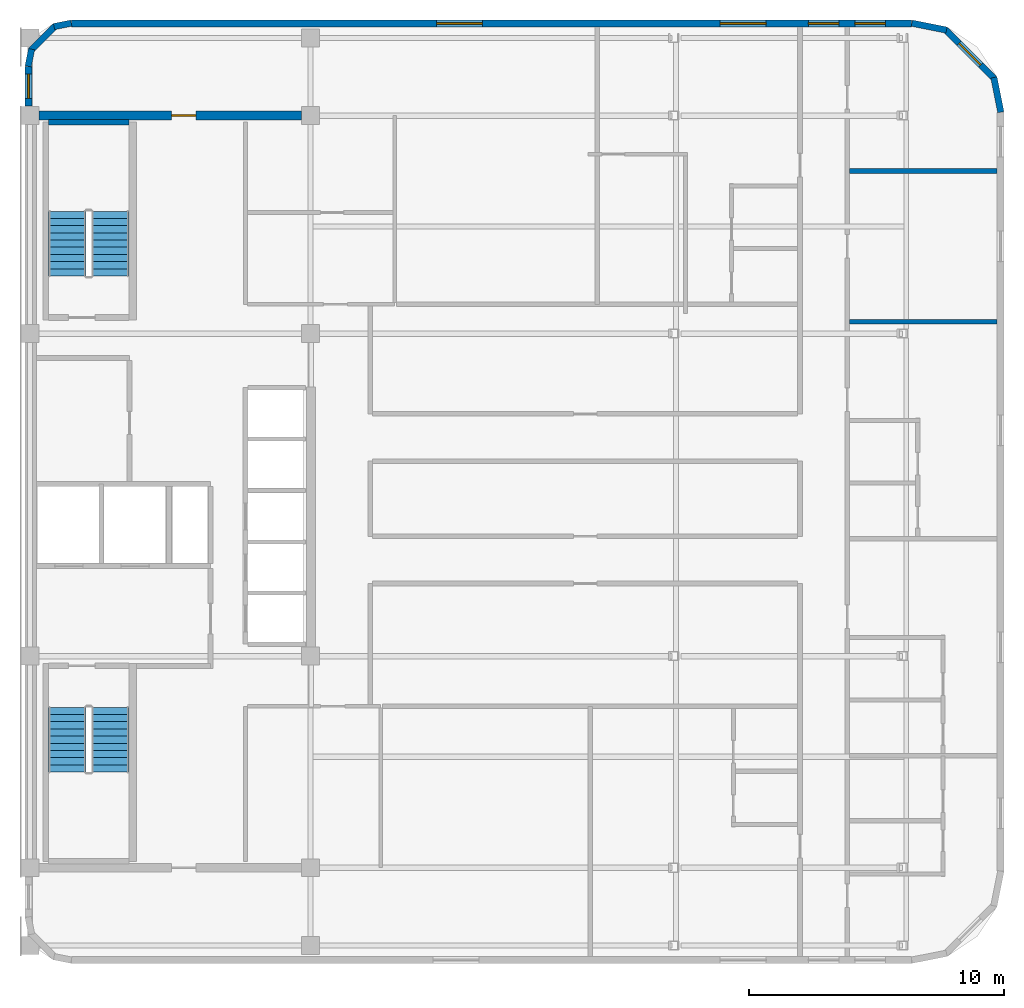
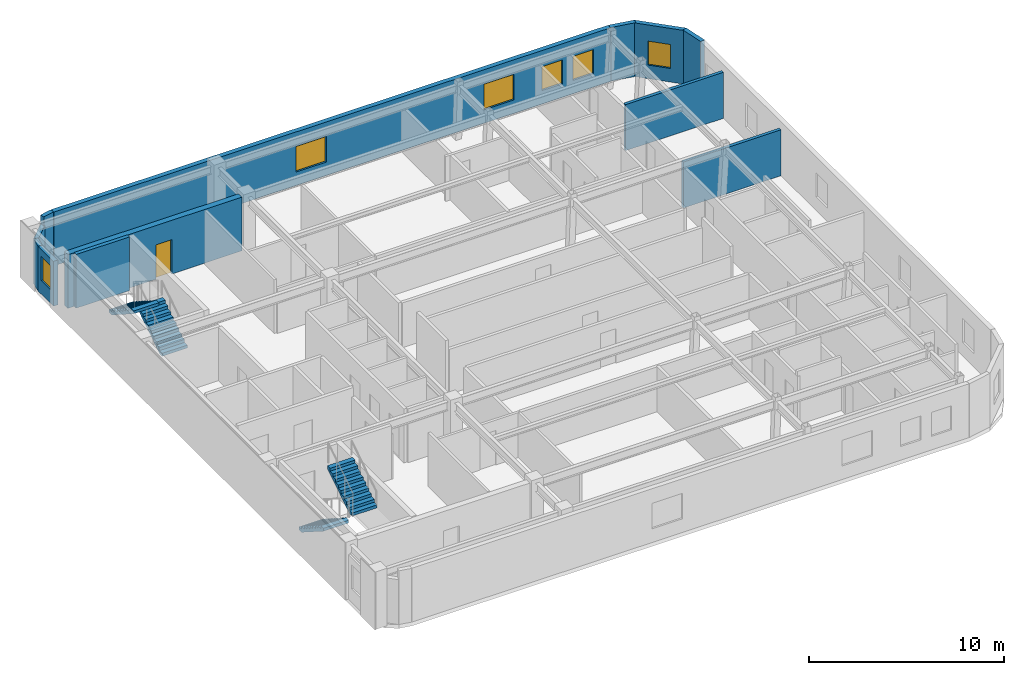
# One storey, part 5 of 6: 12 walls, 6 windows, 4 stair flights, 1 door, 7 openings, 2 elements without a shape of their own.
"""IFC4 building model written with IfcOpenShell, lengths in metres."""

from ifc_helpers import new_model, si_unit, direction, frame, frame_2d, origin, place, context, subcontext, project, spatial, polyline, rectangle, outline, extrude, material, layer, layer_set, type_object, element, fill, aggregate, save


model = new_model("IFC4")

# Units and contexts
model_context = context("Model", 3, precision=1e-05, world=origin(), true_north=direction((0.0, 1.0)))
body_context = subcontext(model_context, "Body", "Model", "MODEL_VIEW")
ifc_project = project(units=[si_unit("LENGTHUNIT", "METRE"), si_unit("AREAUNIT", "SQUARE_METRE"), si_unit("VOLUMEUNIT", "CUBIC_METRE"), si_unit("PLANEANGLEUNIT", "RADIAN"), si_unit("MASSUNIT", "GRAM", prefix="KILO")], contexts=[model_context])

# Site, building, storey
site_placement = place(None, origin())
site = spatial("IfcSite", under=ifc_project, at=site_placement, CompositionType="ELEMENT")
building_placement = place(site_placement, origin())
building = spatial("IfcBuilding", under=site, at=building_placement, Name="Ochreholt Gables", CompositionType="ELEMENT")
storey_placement = place(building_placement, frame((0.0, 0.0, 271.199951171875)))
storey = spatial("IfcBuildingStorey", under=building, at=storey_placement, Name="L71", CompositionType="ELEMENT", Elevation=271.199951171875)

# Wall, opening, door
ifc_material_1 = material(Name="Concrete 50 MPa", Category="concrete")
ifc_layer_1 = layer(ifc_material_1, 0.35009765625, Name="Concrete 50 MPa")
ifc_layer_set_1 = layer_set([ifc_layer_1], Name="Concrete 50 MPa")
wall_type_1 = type_object("IfcWallType", Name="WALL-CSW-350", PredefinedType="SHEAR", material=ifc_layer_set_1)
wall_1_placement = place(storey_placement, frame((24.550048828125, 38.75, 0.0), z_axis=(0.0, 0.0, 1.0), x_axis=(1.0, 0.0, 0.0)))
wall_1 = element("IfcWall", 1, at=wall_1_placement, inside=storey, type_object=wall_type_1, Name="L71 Core North Shear Wall", PredefinedType="SHEAR", context=body_context, shape_type="SweptSolid", body=[
    extrude(rectangle(XDim=10.300048828125, YDim=0.35009765625, at=frame_2d((5.14990234375, 0.0))), origin(), (0.0, 0.0, 1.0), 3.360107421875),
])
opening_1_placement = place(wall_1_placement, frame((5.199951171875, 0.0, 0.0)))
opening_1 = element("IfcOpeningElement", 2, at=opening_1_placement, cuts=wall_1, Name="Opening D-FL2", PredefinedType="OPENING", context=body_context, shape_type="SweptSolid", body=[
    extrude(rectangle(XDim=0.949951171875, YDim=2.14990234375, at=frame_2d((0.47509765625, 1.074951171875))), frame((0.0, 0.18505859375, 0.0), z_axis=(0.0, -1.0, 0.0), x_axis=(1.0, 0.0, 0.0)), (0.0, 0.0, 1.0), 0.3701171875),
])
ifc_material_2 = material(Name="Hollow Metal Steel", Category="steel")
door_type = type_object("IfcDoorType", Name="DR-INT-FLB950", OperationType="NOTDEFINED", PredefinedType="DOOR", material=ifc_material_2)
door_placement = place(opening_1_placement, origin())
door = element("IfcDoor", 3, at=door_placement, inside=storey, type_object=door_type, Name="L71 Door D-C3NSR-L71", OperationType="SINGLE_SWING_RIGHT", OverallHeight=2.14990234375, OverallWidth=0.949951171875, PredefinedType="DOOR", context=body_context, shape_type="SweptSolid", body=[
    extrude(rectangle(XDim=0.949951171875, YDim=2.14990234375, at=frame_2d((0.47509765625, 1.074951171875))), frame((0.0, 0.02490234375, 0.0), z_axis=(0.0, -1.0, 0.0), x_axis=(1.0, 0.0, 0.0)), (0.0, 0.0, 1.0), 0.050048828125),
])
fill(opening_1, door)

# Wall, openings, windows
ifc_material_3 = material(Name="Precast concrete 40 MPa", Category="concrete")
ifc_layer_2 = layer(ifc_material_3, 0.27001953125, Name="Precast concrete 40 MPa")
ifc_layer_set_2 = layer_set([ifc_layer_2], Name="Precast concrete 40 MPa")
wall_type_2 = type_object("IfcWallType", Name="WALL-EXT-270", PredefinedType="SOLIDWALL", material=ifc_layer_set_2)
wall_2_placement = place(storey_placement, frame((58.780029296875, 42.364990234375, 0.0), z_axis=(0.0, 0.0, 1.0), x_axis=(-1.0, 0.0, 0.0)))
wall_2 = element("IfcWall", 4, at=wall_2_placement, inside=storey, type_object=wall_type_2, Name="L71 North Exterior Wall", PredefinedType="SOLIDWALL", context=body_context, shape_type="SweptSolid", body=[
    extrude(rectangle(XDim=32.9599609375, YDim=0.27001953125, at=frame_2d((16.47998046875, 0.0))), origin(), (0.0, 0.0, 1.0), 3.360107421875),
])
opening_2_placement = place(wall_2_placement, frame((16.8349609375, 0.0, 0.85009765625)))
opening_2 = element("IfcOpeningElement", 5, at=opening_2_placement, cuts=wall_2, Name="Opening WN-1", PredefinedType="OPENING", context=body_context, shape_type="SweptSolid", body=[
    extrude(rectangle(XDim=1.800048828125, YDim=1.60009765625, at=frame_2d((0.89990234375, 0.800048828125))), frame((0.0, 0.14501953125, 0.0), z_axis=(0.0, -1.0, 0.0), x_axis=(1.0, 0.0, 0.0)), (0.0, 0.0, 1.0), 0.2900390625),
])
opening_3_placement = place(wall_2_placement, frame((5.714599609375, 0.0, 0.85009765625)))
opening_3 = element("IfcOpeningElement", 6, at=opening_3_placement, cuts=wall_2, Name="Opening WN-1", PredefinedType="OPENING", context=body_context, shape_type="SweptSolid", body=[
    extrude(rectangle(XDim=1.800048828125, YDim=1.60009765625, at=frame_2d((0.89990234375, 0.800048828125))), frame((0.0, 0.14501953125, 0.0), z_axis=(0.0, -1.0, 0.0), x_axis=(1.0, 0.0, 0.0)), (0.0, 0.0, 1.0), 0.2900390625),
])
opening_4_placement = place(wall_2_placement, frame((2.85498046875, 0.0, 0.85009765625)))
opening_4 = element("IfcOpeningElement", 7, at=opening_4_placement, cuts=wall_2, Name="Opening WN-3", PredefinedType="OPENING", context=body_context, shape_type="SweptSolid", body=[
    extrude(rectangle(XDim=1.199951171875, YDim=1.5, at=frame_2d((0.60009765625, 0.75))), frame((0.0, 0.14501953125, 0.0), z_axis=(0.0, -1.0, 0.0), x_axis=(1.0, 0.0, 0.0)), (0.0, 0.0, 1.0), 0.2900390625),
])
opening_5_placement = place(wall_2_placement, frame((1.029541015625, 0.0, 0.85009765625)))
opening_5 = element("IfcOpeningElement", 8, at=opening_5_placement, cuts=wall_2, Name="Opening WN-3", PredefinedType="OPENING", context=body_context, shape_type="SweptSolid", body=[
    extrude(rectangle(XDim=1.199951171875, YDim=1.5, at=frame_2d((0.60009765625, 0.75))), frame((0.0, 0.14501953125, 0.0), z_axis=(0.0, -1.0, 0.0), x_axis=(1.0, 0.0, 0.0)), (0.0, 0.0, 1.0), 0.2900390625),
])
ifc_material_4 = material(Name="Triple-Glazed Thermally Broken Aluminium Window", Category="aluminium")
window_type_1 = type_object("IfcWindowType", Name="WIN-RES-1200", PartitioningType="SINGLE_PANEL", PredefinedType="WINDOW", material=ifc_material_4)
window_1_placement = place(opening_4_placement, origin())
window_1 = element("IfcWindow", 9, at=window_1_placement, inside=storey, type_object=window_type_1, Name="L71 Window W-EXT-N-L71-3", OverallHeight=1.5, OverallWidth=1.199951171875, PartitioningType="SINGLE_PANEL", PredefinedType="WINDOW", context=body_context, shape_type="SweptSolid", body=[
    extrude(rectangle(XDim=1.199951171875, YDim=1.5, at=frame_2d((0.60009765625, 0.75))), frame((0.0, 0.030029296875, 0.0), z_axis=(0.0, -1.0, 0.0), x_axis=(1.0, 0.0, 0.0)), (0.0, 0.0, 1.0), 0.06005859375),
])
fill(opening_4, window_1)
window_2_placement = place(opening_5_placement, origin())
window_2 = element("IfcWindow", 10, at=window_2_placement, inside=storey, type_object=window_type_1, Name="L71 Window W-EXT-N-L71-4", OverallHeight=1.5, OverallWidth=1.199951171875, PartitioningType="SINGLE_PANEL", PredefinedType="WINDOW", context=body_context, shape_type="SweptSolid", body=[
    extrude(rectangle(XDim=1.199951171875, YDim=1.5, at=frame_2d((0.60009765625, 0.75))), frame((0.0, 0.030029296875, 0.0), z_axis=(0.0, -1.0, 0.0), x_axis=(1.0, 0.0, 0.0)), (0.0, 0.0, 1.0), 0.06005859375),
])
fill(opening_5, window_2)
window_type_2 = type_object("IfcWindowType", Name="WIN-RES-1800", PartitioningType="SINGLE_PANEL", PredefinedType="WINDOW", material=ifc_material_4)
window_3_placement = place(opening_2_placement, origin())
window_3 = element("IfcWindow", 11, at=window_3_placement, inside=storey, type_object=window_type_2, Name="L71 Window W-EXT-N-L71-1", OverallHeight=1.60009765625, OverallWidth=1.800048828125, PartitioningType="SINGLE_PANEL", PredefinedType="WINDOW", context=body_context, shape_type="SweptSolid", body=[
    extrude(rectangle(XDim=1.800048828125, YDim=1.60009765625, at=frame_2d((0.89990234375, 0.800048828125))), frame((0.0, 0.030029296875, 0.0), z_axis=(0.0, -1.0, 0.0), x_axis=(1.0, 0.0, 0.0)), (0.0, 0.0, 1.0), 0.06005859375),
])
fill(opening_2, window_3)
window_4_placement = place(opening_3_placement, origin())
window_4 = element("IfcWindow", 12, at=window_4_placement, inside=storey, type_object=window_type_2, Name="L71 Window W-EXT-N-L71-2", OverallHeight=1.60009765625, OverallWidth=1.800048828125, PartitioningType="SINGLE_PANEL", PredefinedType="WINDOW", context=body_context, shape_type="SweptSolid", body=[
    extrude(rectangle(XDim=1.800048828125, YDim=1.60009765625, at=frame_2d((0.89990234375, 0.800048828125))), frame((0.0, 0.030029296875, 0.0), z_axis=(0.0, -1.0, 0.0), x_axis=(1.0, 0.0, 0.0)), (0.0, 0.0, 1.0), 0.06005859375),
])
fill(opening_3, window_4)

# Wall, opening, window
wall_3_placement = place(storey_placement, frame((24.135009765625, 39.1201171875, 0.0), z_axis=(0.0, 0.0, 1.0), x_axis=(0.0, 1.0, 0.0)))
wall_3 = element("IfcWall", 13, at=wall_3_placement, inside=storey, type_object=wall_type_2, Name="L71 West Facade North Bay Wall", PredefinedType="SOLIDWALL", context=body_context, shape_type="SweptSolid", body=[
    extrude(rectangle(XDim=1.559814453125, YDim=0.27001953125, at=frame_2d((0.77978515625, 0.0))), origin(), (0.0, 0.0, 1.0), 2.802978515625),
])
opening_6_placement = place(wall_3_placement, frame((0.304931640625, 0.0, 0.85009765625)))
opening_6 = element("IfcOpeningElement", 14, at=opening_6_placement, cuts=wall_3, Name="Opening WN-10", PredefinedType="OPENING", context=body_context, shape_type="SweptSolid", body=[
    extrude(rectangle(XDim=0.949951171875, YDim=1.5, at=frame_2d((0.47509765625, 0.75))), frame((0.0, 0.14501953125, 0.0), z_axis=(0.0, -1.0, 0.0), x_axis=(1.0, 0.0, 0.0)), (0.0, 0.0, 1.0), 0.2900390625),
])
window_type_3 = type_object("IfcWindowType", Name="WIN-RES-950", PartitioningType="SINGLE_PANEL", PredefinedType="WINDOW", material=ifc_material_4)
window_5_placement = place(opening_6_placement, origin())
window_5 = element("IfcWindow", 15, at=window_5_placement, inside=storey, type_object=window_type_3, Name="L71 North Sky Reading West Window", OverallHeight=1.5, OverallWidth=0.949951171875, PartitioningType="SINGLE_PANEL", PredefinedType="WINDOW", context=body_context, shape_type="SweptSolid", body=[
    extrude(rectangle(XDim=0.949951171875, YDim=1.5, at=frame_2d((0.47509765625, 0.75))), frame((0.0, 0.030029296875, 0.0), z_axis=(0.0, -1.0, 0.0), x_axis=(1.0, 0.0, 0.0)), (0.0, 0.0, 1.0), 0.06005859375),
])
fill(opening_6, window_5)

# Wall
ifc_layer_3 = layer(ifc_material_3, 0.25, Name="Precast concrete 40 MPa")
ifc_layer_set_3 = layer_set([ifc_layer_3], Name="Precast concrete 40 MPa")
wall_type_3 = type_object("IfcWallType", Name="WALL-EXT-CNR", PredefinedType="SOLIDWALL", material=ifc_layer_set_3)
wall_4_placement = place(storey_placement, frame((62.27587890625, 38.883544921875, 0.0), z_axis=(0.0, 0.0, 1.0), x_axis=(-0.195135625965, 0.9807762678, 0.0)))
element("IfcWall", 16, at=wall_4_placement, inside=storey, type_object=wall_type_3, Name="L71 Rounded Corner Wall NE-1", PredefinedType="SOLIDWALL", context=body_context, shape_type="SweptSolid", body=[
    extrude(rectangle(XDim=1.388671875, YDim=0.25, at=frame_2d((0.6943359375, 0.0))), origin(), (0.0, 0.0, 1.0), 3.360107421875),
])

# Wall, opening, window
wall_5_placement = place(storey_placement, frame((62.031982421875, 40.195068359375, 0.0), z_axis=(0.0, 0.0, 1.0), x_axis=(-0.707106781187, 0.707106781187, 0.0)))
wall_5 = element("IfcWall", 17, at=wall_5_placement, inside=storey, type_object=wall_type_3, Name="L71 Rounded Corner Wall NE-2", PredefinedType="SOLIDWALL", context=body_context, shape_type="SweptSolid", body=[
    extrude(rectangle(XDim=2.7392578125, YDim=0.25, at=frame_2d((1.36962890625, 0.0))), origin(), (0.0, 0.0, 1.0), 3.360107421875),
])
opening_7_placement = place(wall_5_placement, frame((0.769775390625, 0.0, 0.85009765625)))
opening_7 = element("IfcOpeningElement", 18, at=opening_7_placement, cuts=wall_5, Name="Opening WN-3", PredefinedType="OPENING", context=body_context, shape_type="SweptSolid", body=[
    extrude(rectangle(XDim=1.199951171875, YDim=1.5, at=frame_2d((0.60009765625, 0.75))), frame((0.0, 0.135009765625, 0.0), z_axis=(0.0, -1.0, 0.0), x_axis=(1.0, 0.0, 0.0)), (0.0, 0.0, 1.0), 0.27001953125),
])
window_6_placement = place(opening_7_placement, origin())
window_6 = element("IfcWindow", 19, at=window_6_placement, inside=storey, type_object=window_type_1, Name="L71 Corner Bedroom Window NE", OverallHeight=1.5, OverallWidth=1.199951171875, PartitioningType="SINGLE_PANEL", PredefinedType="WINDOW", context=body_context, shape_type="SweptSolid", body=[
    extrude(rectangle(XDim=1.199951171875, YDim=1.5, at=frame_2d((0.60009765625, 0.75))), frame((0.0, 0.030029296875, 0.0), z_axis=(0.0, -1.0, 0.0), x_axis=(1.0, 0.0, 0.0)), (0.0, 0.0, 1.0), 0.06005859375),
])
fill(opening_7, window_6)

# Walls
wall_6_placement = place(storey_placement, frame((60.1455078125, 42.10498046875, 0.0), z_axis=(0.0, 0.0, 1.0), x_axis=(-0.980809899341, 0.19496651342, 0.0)))
element("IfcWall", 20, at=wall_6_placement, inside=storey, type_object=wall_type_3, Name="L71 Rounded Corner Wall NE-3", PredefinedType="SOLIDWALL", context=body_context, shape_type="SweptSolid", body=[
    extrude(rectangle(XDim=1.388671875, YDim=0.25, at=frame_2d((0.6943359375, 0.0))), origin(), (0.0, 0.0, 1.0), 3.360107421875),
])
wall_7_placement = place(storey_placement, frame((25.81640625, 42.375732421875, 0.0), z_axis=(0.0, 0.0, 1.0), x_axis=(-0.980812594069, -0.194952956674, 0.0)))
element("IfcWall", 21, at=wall_7_placement, inside=storey, type_object=wall_type_3, Name="L71 Rounded Corner Wall NW-1", PredefinedType="SOLIDWALL", context=body_context, shape_type="SweptSolid", body=[
    extrude(rectangle(XDim=0.686279296875, YDim=0.25, at=frame_2d((0.34326171875, 0.0))), origin(), (0.0, 0.0, 1.0), 3.360107421875),
])
wall_8_placement = place(storey_placement, frame((25.19384765625, 42.26904296875, 0.0), z_axis=(0.0, 0.0, 1.0), x_axis=(-0.707106781187, -0.707106781187, 0.0)))
element("IfcWall", 22, at=wall_8_placement, inside=storey, type_object=wall_type_3, Name="L71 Rounded Corner Wall NW-2", PredefinedType="SOLIDWALL", context=body_context, shape_type="SweptSolid", body=[
    extrude(rectangle(XDim=1.36181640625, YDim=0.25, at=frame_2d((0.680908203125, 0.0))), origin(), (0.0, 0.0, 1.0), 2.802978515625),
])
wall_9_placement = place(storey_placement, frame((24.258056640625, 41.356689453125, 0.0), z_axis=(0.0, 0.0, 1.0), x_axis=(-0.194952956674, -0.980812594069, 0.0)))
element("IfcWall", 23, at=wall_9_placement, inside=storey, type_object=wall_type_3, Name="L71 Rounded Corner Wall NW-3", PredefinedType="SOLIDWALL", context=body_context, shape_type="SweptSolid", body=[
    extrude(rectangle(XDim=0.686279296875, YDim=0.25, at=frame_2d((0.34326171875, 0.0))), origin(), (0.0, 0.0, 1.0), 2.802978515625),
])
ifc_material_5 = material(Name="Double-Stud Acoustic Demising Wall", Category="gypsum")
ifc_layer_4 = layer(ifc_material_5, 0.18505859375, Name="Double-Stud Acoustic Demising Wall")
ifc_layer_set_4 = layer_set([ifc_layer_4], Name="Double-Stud Acoustic Demising Wall")
wall_type_4 = type_object("IfcWallType", Name="WALL-INT-DM185", PredefinedType="PARTITIONING", material=ifc_layer_set_4)
for number, where, z_axis, x_axis, name in (
    (24, (56.340087890625, 30.659912109375, 0.0), (0.0, 0.0, 1.0), (1.0, 0.0, 0.0), "L71 Interior Wall WI-C3UDE4-L71"),
    (25, (56.340087890625, 36.580078125, 0.0), (0.0, 0.0, 1.0), (1.0, 0.0, 0.0), "L71 Interior Wall WI-C3UDE5-L71"),
):
    element("IfcWall", number, at=place(storey_placement, frame(where, z_axis=z_axis, x_axis=x_axis)), inside=storey, type_object=wall_type_4, Name=name, PredefinedType="PARTITIONING", context=body_context, shape_type="SweptSolid", body=[
        extrude(rectangle(XDim=5.789794921875, YDim=0.18505859375, at=frame_2d((2.89501953125, 0.0))), origin(), (0.0, 0.0, 1.0), 2.879150390625),
    ])
ifc_layer_5 = layer(ifc_material_1, 0.219970703125, Name="Concrete 50 MPa")
ifc_layer_set_5 = layer_set([ifc_layer_5], Name="Concrete 50 MPa")
wall_type_5 = type_object("IfcWallType", Name="WALL-STW-220", PredefinedType="SHEAR", material=ifc_layer_set_5)
wall_10_placement = place(storey_placement, frame((24.919921875, 38.489990234375, 0.0), z_axis=(0.0, 0.0, 1.0), x_axis=(1.0, 0.0, 0.0)))
element("IfcWall", 26, at=wall_10_placement, inside=storey, type_object=wall_type_5, Name="L71 Exit Stair 2 North Wall", PredefinedType="SHEAR", context=body_context, shape_type="SweptSolid", body=[
    extrude(rectangle(XDim=3.16015625, YDim=0.219970703125, at=frame_2d((1.580078125, 0.0))), origin(), (0.0, 0.0, 1.0), 3.360107421875),
])

# Stair, stair flights
ifc_material_6 = material(Name="Concrete 40 MPa", Category="concrete")
stair_type_1 = type_object("IfcStairType", Name="STAIR-CORE-ST-1", PredefinedType="HALF_TURN_STAIR", material=ifc_material_6)
stair_1_placement = place(storey_placement, origin())
stair_1 = element("IfcStair", 27, at=stair_1_placement, inside=storey, type_object=stair_type_1, Name="L71 Core Exit Stair 1", PredefinedType="HALF_TURN_STAIR")
stair_flight_type = type_object("IfcStairFlightType", Name="FLIGHT-ST-1480-1800", PredefinedType="STRAIGHT", material=ifc_material_6)
stair_flight_1_placement = place(storey_placement, frame((25.659912109375, 15.5400390625, 0.0), z_axis=(0.0, 0.0, 1.0), x_axis=(0.0, -1.0, 0.0)))
stair_flight_1 = element("IfcStairFlight", 28, at=stair_flight_1_placement, type_object=stair_flight_type, Name="ST-1 flight 1", NumberOfRisers=10, NumberOfTreads=9, PredefinedType="STRAIGHT", RiserHeight=0.18, TreadLength=0.282, context=body_context, shape_type="SweptSolid", body=[
    extrude(outline(polyline([(0.0, 0.0), (0.0, 0.179931640625), (0.281982421875, 0.179931640625), (0.281982421875, 0.360107421875), (0.56396484375, 0.360107421875), (0.56396484375, 0.5400390625), (0.845947265625, 0.5400390625), (0.845947265625, 0.719970703125), (1.1279296875, 0.719970703125), (1.1279296875, 0.89990234375), (1.409912109375, 0.89990234375), (1.409912109375, 1.080078125), (1.69189453125, 1.080078125), (1.69189453125, 1.260009765625), (1.97412109375, 1.260009765625), (1.97412109375, 1.43994140625), (2.256103515625, 1.43994140625), (2.256103515625, 1.6201171875), (2.5380859375, 1.6201171875), (2.5380859375, 1.800048828125), (2.5380859375, 1.442138671875), (0.278564453125, 0.0), (0.0, 0.0)])), frame((0.0, 0.739990234375, 0.0), z_axis=(0.0, -1.0, 0.0), x_axis=(1.0, 0.0, 0.0)), (0.0, 0.0, 1.0), 1.47998046875),
])
stair_flight_2_placement = place(storey_placement, frame((27.340087890625, 13.001953125, 1.800048828125), z_axis=(0.0, 0.0, 1.0), x_axis=(0.0, 1.0, 0.0)))
stair_flight_2 = element("IfcStairFlight", 29, at=stair_flight_2_placement, type_object=stair_flight_type, Name="ST-1 flight 2", NumberOfRisers=10, NumberOfTreads=9, PredefinedType="STRAIGHT", RiserHeight=0.18, TreadLength=0.282, context=body_context, shape_type="SweptSolid", body=[
    extrude(outline(polyline([(0.0, 0.0), (0.0, 0.179931640625), (0.281982421875, 0.179931640625), (0.281982421875, 0.360107421875), (0.56396484375, 0.360107421875), (0.56396484375, 0.5400390625), (0.845947265625, 0.5400390625), (0.845947265625, 0.719970703125), (1.1279296875, 0.719970703125), (1.1279296875, 0.89990234375), (1.409912109375, 0.89990234375), (1.409912109375, 1.080078125), (1.69189453125, 1.080078125), (1.69189453125, 1.260009765625), (1.97412109375, 1.260009765625), (1.97412109375, 1.43994140625), (2.256103515625, 1.43994140625), (2.256103515625, 1.6201171875), (2.5380859375, 1.6201171875), (2.5380859375, 1.800048828125), (2.5380859375, 1.442138671875), (0.278564453125, 0.0), (0.0, 0.0)])), frame((0.0, 0.739990234375, 0.0), z_axis=(0.0, -1.0, 0.0), x_axis=(1.0, 0.0, 0.0)), (0.0, 0.0, 1.0), 1.47998046875),
])
aggregate(stair_1, [stair_flight_1, stair_flight_2])

stair_type_2 = type_object("IfcStairType", Name="STAIR-CORE-ST-2", PredefinedType="HALF_TURN_STAIR", material=ifc_material_6)
stair_2_placement = place(storey_placement, origin())
stair_2 = element("IfcStair", 30, at=stair_2_placement, inside=storey, type_object=stair_type_2, Name="L71 Core Exit Stair 2", PredefinedType="HALF_TURN_STAIR")
stair_flight_3_placement = place(storey_placement, frame((27.340087890625, 32.4599609375, 0.0), z_axis=(0.0, 0.0, 1.0), x_axis=(0.0, 1.0, 0.0)))
stair_flight_3 = element("IfcStairFlight", 31, at=stair_flight_3_placement, type_object=stair_flight_type, Name="ST-2 flight 1", NumberOfRisers=10, NumberOfTreads=9, PredefinedType="STRAIGHT", RiserHeight=0.18, TreadLength=0.282, context=body_context, shape_type="SweptSolid", body=[
    extrude(outline(polyline([(0.0, 0.0), (0.0, 0.179931640625), (0.281982421875, 0.179931640625), (0.281982421875, 0.360107421875), (0.56396484375, 0.360107421875), (0.56396484375, 0.5400390625), (0.845947265625, 0.5400390625), (0.845947265625, 0.719970703125), (1.1279296875, 0.719970703125), (1.1279296875, 0.89990234375), (1.409912109375, 0.89990234375), (1.409912109375, 1.080078125), (1.69189453125, 1.080078125), (1.69189453125, 1.260009765625), (1.97412109375, 1.260009765625), (1.97412109375, 1.43994140625), (2.256103515625, 1.43994140625), (2.256103515625, 1.6201171875), (2.5380859375, 1.6201171875), (2.5380859375, 1.800048828125), (2.5380859375, 1.442138671875), (0.278564453125, 0.0), (0.0, 0.0)])), frame((0.0, 0.739990234375, 0.0), z_axis=(0.0, -1.0, 0.0), x_axis=(1.0, 0.0, 0.0)), (0.0, 0.0, 1.0), 1.47998046875),
])
stair_flight_4_placement = place(storey_placement, frame((25.659912109375, 34.998046875, 1.800048828125), z_axis=(0.0, 0.0, 1.0), x_axis=(0.0, -1.0, 0.0)))
stair_flight_4 = element("IfcStairFlight", 32, at=stair_flight_4_placement, type_object=stair_flight_type, Name="ST-2 flight 2", NumberOfRisers=10, NumberOfTreads=9, PredefinedType="STRAIGHT", RiserHeight=0.18, TreadLength=0.282, context=body_context, shape_type="SweptSolid", body=[
    extrude(outline(polyline([(0.0, 0.0), (0.0, 0.179931640625), (0.281982421875, 0.179931640625), (0.281982421875, 0.360107421875), (0.56396484375, 0.360107421875), (0.56396484375, 0.5400390625), (0.845947265625, 0.5400390625), (0.845947265625, 0.719970703125), (1.1279296875, 0.719970703125), (1.1279296875, 0.89990234375), (1.409912109375, 0.89990234375), (1.409912109375, 1.080078125), (1.69189453125, 1.080078125), (1.69189453125, 1.260009765625), (1.97412109375, 1.260009765625), (1.97412109375, 1.43994140625), (2.256103515625, 1.43994140625), (2.256103515625, 1.6201171875), (2.5380859375, 1.6201171875), (2.5380859375, 1.800048828125), (2.5380859375, 1.442138671875), (0.278564453125, 0.0), (0.0, 0.0)])), frame((0.0, 0.739990234375, 0.0), z_axis=(0.0, -1.0, 0.0), x_axis=(1.0, 0.0, 0.0)), (0.0, 0.0, 1.0), 1.47998046875),
])
aggregate(stair_2, [stair_flight_3, stair_flight_4])

save(model, "model.ifc")
